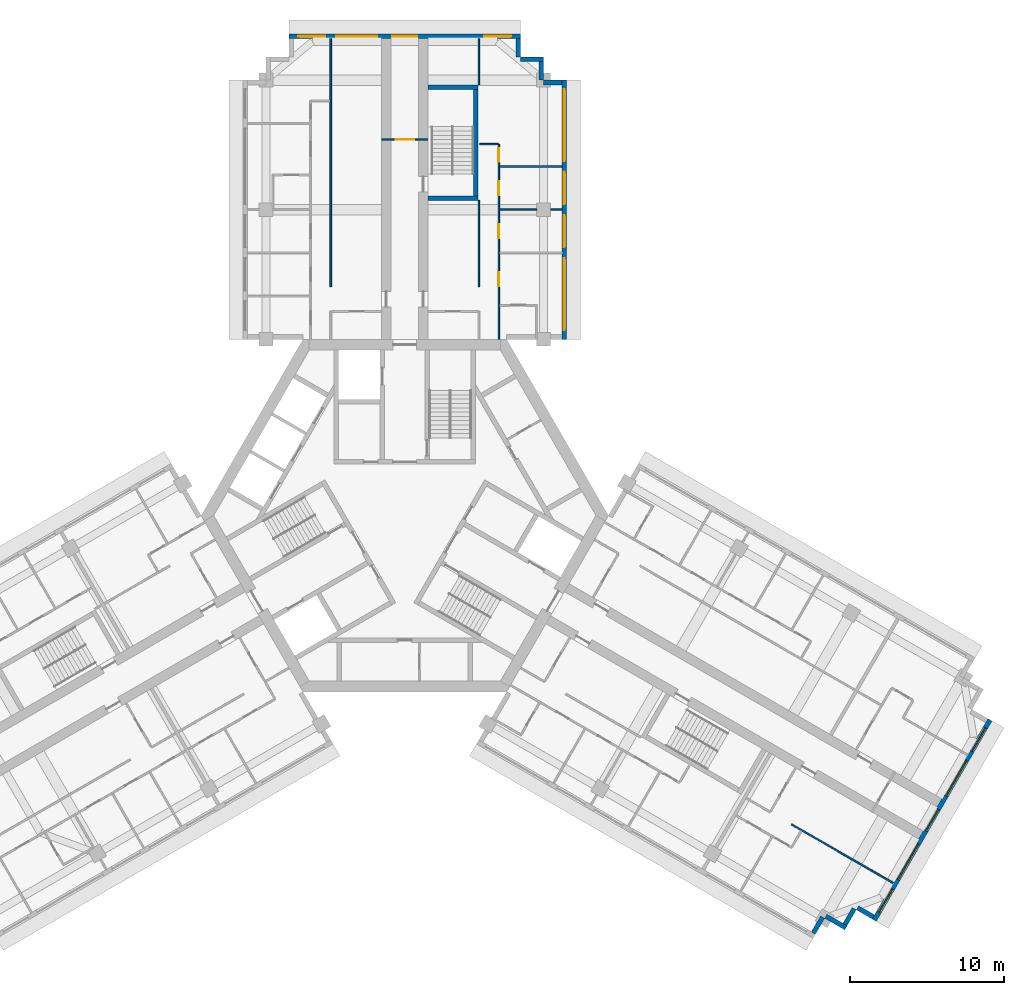
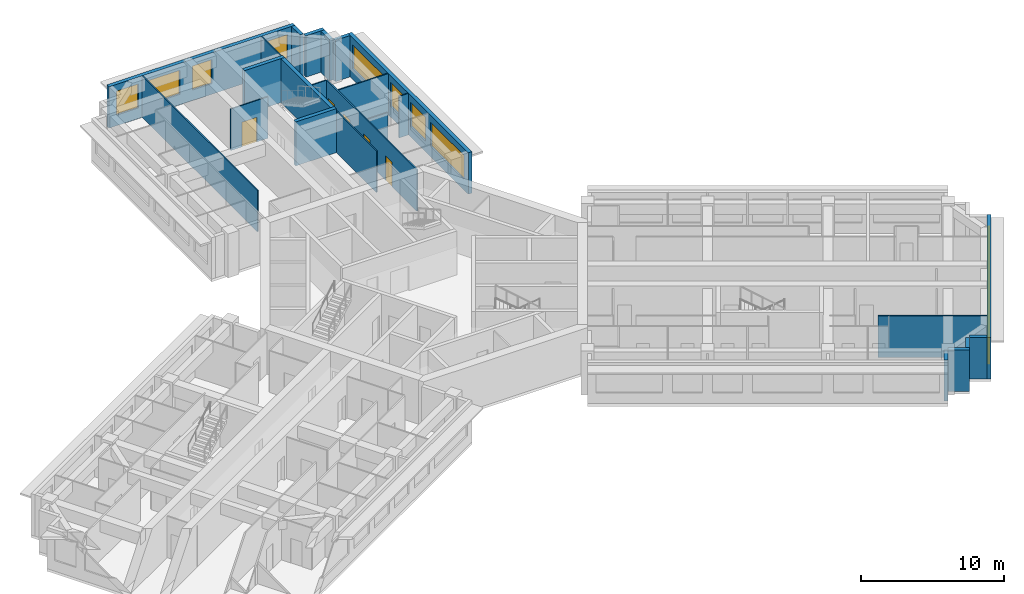
# One storey, part 9 of 12: 24 walls, 13 windows, 5 doors, 18 openings.
"""IFC4 building model written with IfcOpenShell, lengths in metres."""

import ifcopenshell
import ifcopenshell.guid

model = None  # the IFC model being written
_history = None  # IfcOwnerHistory: only IFC2X3 demands one
_inside = {}  # id of a spatial element -> (the spatial element, [elements in it])
_under = {}  # id of a project, library or spatial element -> (it, [spatial elements below it])
_declared = {}  # id of a project -> (the project, [libraries it declares])
_typed = {}  # id of a type object -> (the type object, [elements of that type])
_made_of = {}  # id of a material, layer set ... -> (it, [elements and type objects made of it])


def new_model(schema):
    """Start an empty IFC model of exactly this schema.

    Asked for "IFC4X3", IfcOpenShell would pick the latest addendum, in which some entities
    have other attributes; the version numbers below select the first issue.
    IFC2X3 requires an IfcOwnerHistory on every rooted entity: one is made here for all.
    """
    global model, _history
    if schema == "IFC4X3":
        model = ifcopenshell.file(schema_version=(4, 3, 0, 0))
    else:
        model = ifcopenshell.file(schema=schema)
    _inside.clear()
    _under.clear()
    _declared.clear()
    _typed.clear()
    _made_of.clear()
    _history = None
    if model.schema == "IFC2X3":
        org = make("IfcOrganization", Name="unknown")
        user = make(
            "IfcPersonAndOrganization",
            ThePerson=make("IfcPerson", FamilyName="unknown"),
            TheOrganization=org,
        )
        app = make(
            "IfcApplication",
            ApplicationDeveloper=org,
            Version="unknown",
            ApplicationFullName="unknown",
            ApplicationIdentifier="unknown",
        )
        _history = make(
            "IfcOwnerHistory",
            OwningUser=user,
            OwningApplication=app,
            ChangeAction="ADDED",
            CreationDate=0,
        )
    return model


def make(cls, **values):
    """One entity of the class cls with the attributes given. An attribute that is None is left unset."""
    return model.create_entity(
        cls, **{name: value for name, value in values.items() if value is not None}
    )


def rooted(cls, **values):
    """An entity with a GlobalId (a new one), such as an element, a storey or a relation."""
    return make(cls, GlobalId=ifcopenshell.guid.new(), OwnerHistory=_history, **values)


def si_unit(unit_type, name, prefix=None):
    """IfcSIUnit, for example si_unit("LENGTHUNIT", "METRE", prefix="MILLI")."""
    return make("IfcSIUnit", UnitType=unit_type, Prefix=prefix, Name=name)


def assignment(units):
    """IfcUnitAssignment: the units of a project."""
    return None if units is None else make("IfcUnitAssignment", Units=units)


def point(xyz):
    """IfcCartesianPoint."""
    return None if xyz is None else make("IfcCartesianPoint", Coordinates=xyz)


def direction(xyz):
    """IfcDirection."""
    return None if xyz is None else make("IfcDirection", DirectionRatios=xyz)


def frame(location, z_axis=None, x_axis=None):
    """IfcAxis2Placement3D, a coordinate frame: its origin and axes. An axis left out is left unset."""
    return make(
        "IfcAxis2Placement3D",
        Location=point(location),
        Axis=direction(z_axis),
        RefDirection=direction(x_axis),
    )


def frame_2d(location, x_axis=None):
    """IfcAxis2Placement2D, a coordinate frame in the plane: its origin and x axis."""
    return make(
        "IfcAxis2Placement2D", Location=point(location), RefDirection=direction(x_axis)
    )


def origin():
    """The frame at (0, 0, 0) with its axes left unset."""
    return frame((0.0, 0.0, 0.0))


def place(relative_to, where):
    """IfcLocalPlacement: puts the frame where relative to a parent placement (None: the world)."""
    return make(
        "IfcLocalPlacement", PlacementRelTo=relative_to, RelativePlacement=where
    )


def context(
    kind, dimensions, precision=None, world=None, true_north=None, identifier=None
):
    """IfcGeometricRepresentationContext, for example the 3D "Model" context."""
    return make(
        "IfcGeometricRepresentationContext",
        ContextIdentifier=identifier,
        ContextType=kind,
        CoordinateSpaceDimension=dimensions,
        Precision=precision,
        WorldCoordinateSystem=world,
        TrueNorth=true_north,
    )


def subcontext(parent, identifier, kind, view, scale=None):
    """IfcGeometricRepresentationSubContext, for example "Body" below "Model"."""
    return make(
        "IfcGeometricRepresentationSubContext",
        ContextIdentifier=identifier,
        ContextType=kind,
        ParentContext=parent,
        TargetScale=scale,
        TargetView=view,
    )


def project(units=None, contexts=None):
    """IfcProject with its units and contexts."""
    return rooted(
        "IfcProject",
        Name="project",
        RepresentationContexts=contexts,
        UnitsInContext=assignment(units),
    )


def spatial(cls, under=None, at=None, **own):
    """A site, building, storey or space (cls), placed at a placement, below another one or the project."""
    s = rooted(cls, ObjectPlacement=at, **own)
    if under is not None:
        _under.setdefault(under.id(), (under, []))[1].append(s)
    return s


def profile(cls, at=None, kind="AREA", **sizes):
    """A parametric profile (cls). Its sizes go by their IFC names, for example OverallWidth=200.0."""
    return make(cls, ProfileType=kind, Position=at, **sizes)


def rectangle(**sizes):
    """IfcRectangleProfileDef."""
    return profile("IfcRectangleProfileDef", **sizes)


def extrude(swept, where, along, depth):
    """IfcExtrudedAreaSolid: the profile swept, set in the frame where, extruded along a direction by depth."""
    return make(
        "IfcExtrudedAreaSolid",
        SweptArea=swept,
        Position=where,
        ExtrudedDirection=direction(along),
        Depth=depth,
    )


def shape(context_of_items, identifier, shape_type, items):
    """IfcShapeRepresentation: the items that make up one representation, for example the "Body"."""
    return make(
        "IfcShapeRepresentation",
        ContextOfItems=context_of_items,
        RepresentationIdentifier=identifier,
        RepresentationType=shape_type,
        Items=items,
    )


def material(Name=None, Category=None):
    """IfcMaterial."""
    return make("IfcMaterial", Name=Name, Category=Category)


def layer(
    of_material, thickness, ventilated=None, Name=None, Category=None, Priority=None
):
    """IfcMaterialLayer: one layer of a wall or slab, of a material (None: an air gap)."""
    return make(
        "IfcMaterialLayer",
        Material=of_material,
        LayerThickness=thickness,
        IsVentilated=ventilated,
        Name=Name,
        Category=Category,
        Priority=Priority,
    )


def layer_set(layers, Name=None):
    """IfcMaterialLayerSet."""
    return make("IfcMaterialLayerSet", MaterialLayers=layers, LayerSetName=Name)


def made_of(thing, what):
    """Note that an element or type object is made of a material, layer set ...; save() writes the relation."""
    if what is not None:
        _made_of.setdefault(what.id(), (what, []))[1].append(thing)
    return thing


def type_object(cls, material=None, **own):
    """A type object (cls), such as IfcWallType, which elements share."""
    return made_of(rooted(cls, **own), material)


def element(
    cls,
    number,
    at=None,
    inside=None,
    cuts=None,
    type_object=None,
    material=None,
    context=None,
    identifier="Body",
    shape_type=None,
    held_by="IfcProductDefinitionShape",
    body=None,
    shapes=None,
    **own,
):
    """One element of the class cls, such as IfcWall. Its Tag is "e" and its number.

    at: its placement. inside: the storey or other place that contains it. cuts: it is an
    opening in that element (IfcRelVoidsElement). A single representation is given by context,
    identifier, shape_type and body (its items); several are given by shapes. held_by: the class
    of the entity that holds the representations. save() writes the other relations.
    """
    e = rooted(cls, Tag="e%d" % number, ObjectPlacement=at, **own)
    if body is not None:
        shapes = [shape(context, identifier, shape_type, body)]
    if shapes is not None:
        e.Representation = make(held_by, Representations=shapes)
    if inside is not None:
        _inside.setdefault(inside.id(), (inside, []))[1].append(e)
    if cuts is not None:
        rooted(
            "IfcRelVoidsElement", RelatingBuildingElement=cuts, RelatedOpeningElement=e
        )
    if type_object is not None:
        _typed.setdefault(type_object.id(), (type_object, []))[1].append(e)
    return made_of(e, material)


def fill(opening, filler):
    """IfcRelFillsElement: the door or window that sits in an opening."""
    return rooted(
        "IfcRelFillsElement",
        RelatingOpeningElement=opening,
        RelatedBuildingElement=filler,
    )


def aggregate(whole, parts):
    """IfcRelAggregates: a whole, such as a stair, and the parts it consists of."""
    return rooted("IfcRelAggregates", RelatingObject=whole, RelatedObjects=parts)


def save(model, path):
    """Write the relations noted so far, then the file.

    IfcRelAggregates (storeys below a building ...), IfcRelContainedInSpatialStructure (elements
    in a storey), IfcRelDefinesByType, IfcRelAssociatesMaterial and IfcRelDeclares: one each for
    every whole, place, type object, material and project.
    """
    for whole, parts in _under.values():
        aggregate(whole, parts)
    for where, things in _inside.values():
        rooted(
            "IfcRelContainedInSpatialStructure",
            RelatedElements=things,
            RelatingStructure=where,
        )
    for kind, things in _typed.values():
        rooted("IfcRelDefinesByType", RelatedObjects=things, RelatingType=kind)
    for what, things in _made_of.values():
        rooted("IfcRelAssociatesMaterial", RelatedObjects=things, RelatingMaterial=what)
    for by, libraries in _declared.values():
        rooted("IfcRelDeclares", RelatingContext=by, RelatedDefinitions=libraries)
    model.write(path)


model = new_model("IFC4")

# Units and contexts
model_context = context("Model", 3, precision=1e-05, world=origin(), true_north=direction((0.0, 1.0)))
body_context = subcontext(model_context, "Body", "Model", "MODEL_VIEW")
ifc_project = project(units=[si_unit("LENGTHUNIT", "METRE"), si_unit("AREAUNIT", "SQUARE_METRE"), si_unit("VOLUMEUNIT", "CUBIC_METRE"), si_unit("PLANEANGLEUNIT", "RADIAN"), si_unit("MASSUNIT", "GRAM", prefix="KILO")], contexts=[model_context])

# Site, building, storey
site_placement = place(None, origin())
site = spatial("IfcSite", under=ifc_project, at=site_placement, CompositionType="ELEMENT")
building_placement = place(site_placement, origin())
building = spatial("IfcBuilding", under=site, at=building_placement, Name="Impinga Residences", CompositionType="ELEMENT")
storey_placement = place(building_placement, frame((0.0, 0.0, 214.75)))
storey = spatial("IfcBuildingStorey", under=building, at=storey_placement, Name="L53", CompositionType="ELEMENT", Elevation=214.75)

# Wall, opening, door
ifc_material_1 = material(Name="Concrete blockwork", Category="masonry")
ifc_layer_1 = layer(ifc_material_1, 0.10009765625)
ifc_layer_set_1 = layer_set([ifc_layer_1], Name="CP1 core room partition, blockwork 100")
wall_type_1 = type_object("IfcWallType", Name="CP1 core room partition, blockwork 100", PredefinedType="PARTITIONING", material=ifc_layer_set_1)
wall_1_placement = place(storey_placement, frame((-1.5, 24.381591796875, 0.0), z_axis=(0.0, 0.0, 1.0), x_axis=(1.0, 0.0, 0.0)))
wall_1 = element("IfcWall", 1, at=wall_1_placement, inside=storey, type_object=wall_type_1, Name="Core room partition, blockwork L53:N:LNG", PredefinedType="PARTITIONING", context=body_context, shape_type="SweptSolid", body=[
    extrude(rectangle(XDim=3.0, YDim=0.10009765625, at=frame_2d((1.5, 0.0))), origin(), (0.0, 0.0, 1.0), 3.530029296875),
])
opening_1_placement = place(wall_1_placement, frame((0.89990234375, 0.0, 0.0)))
opening_1 = element("IfcOpeningElement", 2, at=opening_1_placement, cuts=wall_1, Name="Opening D3", PredefinedType="OPENING", context=body_context, shape_type="SweptSolid", body=[
    extrude(rectangle(XDim=1.199951171875, YDim=2.10009765625, at=frame_2d((0.60009765625, 1.050048828125))), frame((0.0, 0.06005859375, 0.0), z_axis=(0.0, -1.0, 0.0), x_axis=(1.0, 0.0, 0.0)), (0.0, 0.0, 1.0), 0.1201171875),
])
ifc_material_2 = material(Name="Timber door set", Category="wood")
door_type_1 = type_object("IfcDoorType", Name="D3 room door, leaf and a half 1200x2100", OperationType="DOUBLE_SWING_LEFT", PredefinedType="DOOR", material=ifc_material_2)
door_1_placement = place(opening_1_placement, origin())
door_1 = element("IfcDoor", 3, at=door_1_placement, inside=storey, type_object=door_type_1, Name="Residents' lounge door N", OperationType="DOUBLE_SWING_LEFT", OverallHeight=2.10009765625, OverallWidth=1.199951171875, PredefinedType="DOOR", context=body_context, shape_type="SweptSolid", body=[
    extrude(rectangle(XDim=1.199951171875, YDim=2.10009765625, at=frame_2d((0.60009765625, 1.050048828125))), frame((0.0, 0.02490234375, 0.0), z_axis=(0.0, -1.0, 0.0), x_axis=(1.0, 0.0, 0.0)), (0.0, 0.0, 1.0), 0.050048828125),
])
fill(opening_1, door_1)

# Wall, openings, windows
ifc_material_3 = material(Name="Terracotta rainscreen on blockwork", Category="masonry")
ifc_layer_2 = layer(ifc_material_3, 0.300048828125)
ifc_layer_set_2 = layer_set([ifc_layer_2], Name="EW1 external wall, terracotta rainscreen on blockwork 300")
wall_type_2 = type_object("IfcWallType", Name="EW1 external wall, terracotta rainscreen on blockwork 300", PredefinedType="SOLIDWALL", material=ifc_layer_set_2)
wall_2_placement = place(storey_placement, frame((-7.5, 31.08154296875, 0.0), z_axis=(0.0, 0.0, 1.0), x_axis=(1.0, 0.0, 0.0)))
wall_2 = element("IfcWall", 4, at=wall_2_placement, inside=storey, type_object=wall_type_2, Name="External wall EW1 L53", PredefinedType="SOLIDWALL", context=body_context, shape_type="SweptSolid", body=[
    extrude(rectangle(XDim=15.0, YDim=0.300048828125, at=frame_2d((7.5, 0.0))), origin(), (0.0, 0.0, 1.0), 3.530029296875),
])
opening_2_placement = place(wall_2_placement, frame((0.60009765625, 0.0, 0.89990234375)))
opening_2 = element("IfcOpeningElement", 5, at=opening_2_placement, cuts=wall_2, Name="Opening W1", PredefinedType="OPENING", context=body_context, shape_type="SweptSolid", body=[
    extrude(rectangle(XDim=1.75, YDim=2.050048828125, at=frame_2d((0.875, 1.02490234375))), frame((0.0, 0.159912109375, 0.0), z_axis=(0.0, -1.0, 0.0), x_axis=(1.0, 0.0, 0.0)), (0.0, 0.0, 1.0), 0.320068359375),
])
opening_3_placement = place(wall_2_placement, frame((3.050048828125, 0.0, 0.89990234375)))
opening_3 = element("IfcOpeningElement", 6, at=opening_3_placement, cuts=wall_2, Name="Opening W18", PredefinedType="OPENING", context=body_context, shape_type="SweptSolid", body=[
    extrude(rectangle(XDim=2.64990234375, YDim=2.050048828125, at=frame_2d((1.324951171875, 1.02490234375))), frame((0.0, 0.159912109375, 0.0), z_axis=(0.0, -1.0, 0.0), x_axis=(1.0, 0.0, 0.0)), (0.0, 0.0, 1.0), 0.320068359375),
])
opening_4_placement = place(wall_2_placement, frame((6.699951171875, 0.0, 0.89990234375)))
opening_4 = element("IfcOpeningElement", 7, at=opening_4_placement, cuts=wall_2, Name="Opening W19", PredefinedType="OPENING", context=body_context, shape_type="SweptSolid", body=[
    extrude(rectangle(XDim=1.60009765625, YDim=2.050048828125, at=frame_2d((0.800048828125, 1.02490234375))), frame((0.0, 0.159912109375, 0.0), z_axis=(0.0, -1.0, 0.0), x_axis=(1.0, 0.0, 0.0)), (0.0, 0.0, 1.0), 0.320068359375),
])
opening_5_placement = place(wall_2_placement, frame((12.64990234375, 0.0, 0.89990234375)))
opening_5 = element("IfcOpeningElement", 8, at=opening_5_placement, cuts=wall_2, Name="Opening W1", PredefinedType="OPENING", context=body_context, shape_type="SweptSolid", body=[
    extrude(rectangle(XDim=1.75, YDim=2.050048828125, at=frame_2d((0.875, 1.02490234375))), frame((0.0, 0.159912109375, 0.0), z_axis=(0.0, -1.0, 0.0), x_axis=(1.0, 0.0, 0.0)), (0.0, 0.0, 1.0), 0.320068359375),
])
ifc_material_4 = material(Name="Aluminium window, clear double glazing", Category="aluminium")
window_type_1 = type_object("IfcWindowType", Name="W1 ribbon window 1750x2050", PartitioningType="SINGLE_PANEL", PredefinedType="WINDOW", material=ifc_material_4)
window_1_placement = place(opening_2_placement, origin())
window_1 = element("IfcWindow", 9, at=window_1_placement, inside=storey, type_object=window_type_1, Name="Window L53", OverallHeight=2.050048828125, OverallWidth=1.75, PartitioningType="SINGLE_PANEL", PredefinedType="WINDOW", context=body_context, shape_type="SweptSolid", body=[
    extrude(rectangle(XDim=1.75, YDim=2.050048828125, at=frame_2d((0.875, 1.02490234375))), frame((0.0, 0.030029296875, 0.0), z_axis=(0.0, -1.0, 0.0), x_axis=(1.0, 0.0, 0.0)), (0.0, 0.0, 1.0), 0.06005859375),
])
fill(opening_2, window_1)
window_2_placement = place(opening_5_placement, origin())
window_2 = element("IfcWindow", 10, at=window_2_placement, inside=storey, type_object=window_type_1, Name="Window L53", OverallHeight=2.050048828125, OverallWidth=1.75, PartitioningType="SINGLE_PANEL", PredefinedType="WINDOW", context=body_context, shape_type="SweptSolid", body=[
    extrude(rectangle(XDim=1.75, YDim=2.050048828125, at=frame_2d((0.875, 1.02490234375))), frame((0.0, 0.030029296875, 0.0), z_axis=(0.0, -1.0, 0.0), x_axis=(1.0, 0.0, 0.0)), (0.0, 0.0, 1.0), 0.06005859375),
])
fill(opening_5, window_2)
window_type_2 = type_object("IfcWindowType", Name="W18 ribbon window 2650x2050", PartitioningType="SINGLE_PANEL", PredefinedType="WINDOW", material=ifc_material_4)
window_3_placement = place(opening_3_placement, origin())
window_3 = element("IfcWindow", 11, at=window_3_placement, inside=storey, type_object=window_type_2, Name="Window L53", OverallHeight=2.050048828125, OverallWidth=2.64990234375, PartitioningType="SINGLE_PANEL", PredefinedType="WINDOW", context=body_context, shape_type="SweptSolid", body=[
    extrude(rectangle(XDim=2.64990234375, YDim=2.050048828125, at=frame_2d((1.324951171875, 1.02490234375))), frame((0.0, 0.030029296875, 0.0), z_axis=(0.0, -1.0, 0.0), x_axis=(1.0, 0.0, 0.0)), (0.0, 0.0, 1.0), 0.06005859375),
])
fill(opening_3, window_3)
window_type_3 = type_object("IfcWindowType", Name="W19 ribbon window 1600x2050", PartitioningType="SINGLE_PANEL", PredefinedType="WINDOW", material=ifc_material_4)
window_4_placement = place(opening_4_placement, origin())
window_4 = element("IfcWindow", 12, at=window_4_placement, inside=storey, type_object=window_type_3, Name="Window L53", OverallHeight=2.050048828125, OverallWidth=1.60009765625, PartitioningType="SINGLE_PANEL", PredefinedType="WINDOW", context=body_context, shape_type="SweptSolid", body=[
    extrude(rectangle(XDim=1.60009765625, YDim=2.050048828125, at=frame_2d((0.800048828125, 1.02490234375))), frame((0.0, 0.030029296875, 0.0), z_axis=(0.0, -1.0, 0.0), x_axis=(1.0, 0.0, 0.0)), (0.0, 0.0, 1.0), 0.06005859375),
])
fill(opening_4, window_4)

# Walls
wall_3_placement = place(storey_placement, frame((7.35009765625, 30.931640625, 0.0), z_axis=(0.0, 0.0, 1.0), x_axis=(0.0, -1.0, 0.0)))
element("IfcWall", 13, at=wall_3_placement, inside=storey, type_object=wall_type_2, Name="External wall EW1 L53", PredefinedType="SOLIDWALL", context=body_context, shape_type="SweptSolid", body=[
    extrude(rectangle(XDim=1.195068359375, YDim=0.300048828125, at=frame_2d((0.59765625, 0.0))), origin(), (0.0, 0.0, 1.0), 3.530029296875),
])
wall_4_placement = place(storey_placement, frame((7.5, 29.58154296875, 0.0), z_axis=(0.0, 0.0, 1.0), x_axis=(1.0, 0.0, 0.0)))
element("IfcWall", 14, at=wall_4_placement, inside=storey, type_object=wall_type_2, Name="External wall EW1 L53", PredefinedType="SOLIDWALL", context=body_context, shape_type="SweptSolid", body=[
    extrude(rectangle(XDim=1.5, YDim=0.300048828125, at=frame_2d((0.75, 0.0))), origin(), (0.0, 0.0, 1.0), 3.530029296875),
])
wall_5_placement = place(storey_placement, frame((8.85009765625, 29.431640625, 0.0), z_axis=(0.0, 0.0, 1.0), x_axis=(0.0, -1.0, 0.0)))
element("IfcWall", 15, at=wall_5_placement, inside=storey, type_object=wall_type_2, Name="External wall EW1 L53", PredefinedType="SOLIDWALL", context=body_context, shape_type="SweptSolid", body=[
    extrude(rectangle(XDim=1.2001953125, YDim=0.300048828125, at=frame_2d((0.60009765625, 0.0))), origin(), (0.0, 0.0, 1.0), 3.530029296875),
])
wall_6_placement = place(storey_placement, frame((9.0048828125, 28.08154296875, 0.0), z_axis=(0.0, 0.0, 1.0), x_axis=(1.0, 0.0, 0.0)))
element("IfcWall", 16, at=wall_6_placement, inside=storey, type_object=wall_type_2, Name="External wall EW1 L53", PredefinedType="SOLIDWALL", context=body_context, shape_type="SweptSolid", body=[
    extrude(rectangle(XDim=1.195068359375, YDim=0.300048828125, at=frame_2d((0.59765625, 0.0))), origin(), (0.0, 0.0, 1.0), 3.530029296875),
])

# Wall, openings, windows
wall_7_placement = place(storey_placement, frame((10.35009765625, 28.2314453125, 0.0), z_axis=(0.0, 0.0, 1.0), x_axis=(0.0, -1.0, 0.0)))
wall_7 = element("IfcWall", 17, at=wall_7_placement, inside=storey, type_object=wall_type_2, Name="External wall EW1 L53", PredefinedType="SOLIDWALL", context=body_context, shape_type="SweptSolid", body=[
    extrude(rectangle(XDim=16.7998046875, YDim=0.300048828125, at=frame_2d((8.39990234375, 0.0))), origin(), (0.0, 0.0, 1.0), 3.530029296875),
])
opening_6_placement = place(wall_7_placement, frame((0.60009765625, 0.0, 0.89990234375)))
opening_6 = element("IfcOpeningElement", 18, at=opening_6_placement, cuts=wall_7, Name="Opening W10", PredefinedType="OPENING", context=body_context, shape_type="SweptSolid", body=[
    extrude(rectangle(XDim=4.64990234375, YDim=2.050048828125, at=frame_2d((2.324951171875, 1.02490234375))), frame((0.0, 0.159912109375, 0.0), z_axis=(0.0, -1.0, 0.0), x_axis=(1.0, 0.0, 0.0)), (0.0, 0.0, 1.0), 0.320068359375),
])
opening_7_placement = place(wall_7_placement, frame((5.949951171875, 0.0, 0.89990234375)))
opening_7 = element("IfcOpeningElement", 19, at=opening_7_placement, cuts=wall_7, Name="Opening W9", PredefinedType="OPENING", context=body_context, shape_type="SweptSolid", body=[
    extrude(rectangle(XDim=2.10009765625, YDim=2.050048828125, at=frame_2d((1.050048828125, 1.02490234375))), frame((0.0, 0.159912109375, 0.0), z_axis=(0.0, -1.0, 0.0), x_axis=(1.0, 0.0, 0.0)), (0.0, 0.0, 1.0), 0.320068359375),
])
opening_8_placement = place(wall_7_placement, frame((8.75, 0.0, 0.89990234375)))
opening_8 = element("IfcOpeningElement", 20, at=opening_8_placement, cuts=wall_7, Name="Opening W9", PredefinedType="OPENING", context=body_context, shape_type="SweptSolid", body=[
    extrude(rectangle(XDim=2.10009765625, YDim=2.050048828125, at=frame_2d((1.050048828125, 1.02490234375))), frame((0.0, 0.159912109375, 0.0), z_axis=(0.0, -1.0, 0.0), x_axis=(1.0, 0.0, 0.0)), (0.0, 0.0, 1.0), 0.320068359375),
])
opening_9_placement = place(wall_7_placement, frame((11.550048828125, 0.0, 0.89990234375)))
opening_9 = element("IfcOpeningElement", 21, at=opening_9_placement, cuts=wall_7, Name="Opening W10", PredefinedType="OPENING", context=body_context, shape_type="SweptSolid", body=[
    extrude(rectangle(XDim=4.64990234375, YDim=2.050048828125, at=frame_2d((2.324951171875, 1.02490234375))), frame((0.0, 0.159912109375, 0.0), z_axis=(0.0, -1.0, 0.0), x_axis=(1.0, 0.0, 0.0)), (0.0, 0.0, 1.0), 0.320068359375),
])
window_type_4 = type_object("IfcWindowType", Name="W10 ribbon window 4650x2050", PartitioningType="SINGLE_PANEL", PredefinedType="WINDOW", material=ifc_material_4)
window_5_placement = place(opening_6_placement, origin())
window_5 = element("IfcWindow", 22, at=window_5_placement, inside=storey, type_object=window_type_4, Name="Window L53", OverallHeight=2.050048828125, OverallWidth=4.64990234375, PartitioningType="SINGLE_PANEL", PredefinedType="WINDOW", context=body_context, shape_type="SweptSolid", body=[
    extrude(rectangle(XDim=4.64990234375, YDim=2.050048828125, at=frame_2d((2.324951171875, 1.02490234375))), frame((0.0, 0.030029296875, 0.0), z_axis=(0.0, -1.0, 0.0), x_axis=(1.0, 0.0, 0.0)), (0.0, 0.0, 1.0), 0.06005859375),
])
fill(opening_6, window_5)
window_6_placement = place(opening_9_placement, origin())
window_6 = element("IfcWindow", 23, at=window_6_placement, inside=storey, type_object=window_type_4, Name="Window L53", OverallHeight=2.050048828125, OverallWidth=4.64990234375, PartitioningType="SINGLE_PANEL", PredefinedType="WINDOW", context=body_context, shape_type="SweptSolid", body=[
    extrude(rectangle(XDim=4.64990234375, YDim=2.050048828125, at=frame_2d((2.324951171875, 1.02490234375))), frame((0.0, 0.030029296875, 0.0), z_axis=(0.0, -1.0, 0.0), x_axis=(1.0, 0.0, 0.0)), (0.0, 0.0, 1.0), 0.06005859375),
])
fill(opening_9, window_6)
window_type_5 = type_object("IfcWindowType", Name="W9 ribbon window 2100x2050", PartitioningType="SINGLE_PANEL", PredefinedType="WINDOW", material=ifc_material_4)
window_7_placement = place(opening_7_placement, origin())
window_7 = element("IfcWindow", 24, at=window_7_placement, inside=storey, type_object=window_type_5, Name="Window L53", OverallHeight=2.050048828125, OverallWidth=2.10009765625, PartitioningType="SINGLE_PANEL", PredefinedType="WINDOW", context=body_context, shape_type="SweptSolid", body=[
    extrude(rectangle(XDim=2.10009765625, YDim=2.050048828125, at=frame_2d((1.050048828125, 1.02490234375))), frame((0.0, 0.030029296875, 0.0), z_axis=(0.0, -1.0, 0.0), x_axis=(1.0, 0.0, 0.0)), (0.0, 0.0, 1.0), 0.06005859375),
])
fill(opening_7, window_7)
window_8_placement = place(opening_8_placement, origin())
window_8 = element("IfcWindow", 25, at=window_8_placement, inside=storey, type_object=window_type_5, Name="Window L53", OverallHeight=2.050048828125, OverallWidth=2.10009765625, PartitioningType="SINGLE_PANEL", PredefinedType="WINDOW", context=body_context, shape_type="SweptSolid", body=[
    extrude(rectangle(XDim=2.10009765625, YDim=2.050048828125, at=frame_2d((1.050048828125, 1.02490234375))), frame((0.0, 0.030029296875, 0.0), z_axis=(0.0, -1.0, 0.0), x_axis=(1.0, 0.0, 0.0)), (0.0, 0.0, 1.0), 0.06005859375),
])
fill(opening_8, window_8)

wall_8_placement = place(storey_placement, frame((37.94189453125, -13.24560546875, 0.0), z_axis=(0.0, 0.0, 1.0), x_axis=(-0.500004234368, -0.866022959057, 0.0)))
wall_8 = element("IfcWall", 26, at=wall_8_placement, inside=storey, type_object=wall_type_2, Name="External wall EW1 L53", PredefinedType="SOLIDWALL", context=body_context, shape_type="SweptSolid", body=[
    extrude(rectangle(XDim=14.999755859375, YDim=0.300048828125, at=frame_2d((7.5, 0.0))), origin(), (0.0, 0.0, 1.0), 3.530029296875),
])
opening_10_placement = place(wall_8_placement, frame((0.60009765625, 0.0, 0.89990234375)))
opening_10 = element("IfcOpeningElement", 27, at=opening_10_placement, cuts=wall_8, Name="Opening W1", PredefinedType="OPENING", context=body_context, shape_type="SweptSolid", body=[
    extrude(rectangle(XDim=1.75, YDim=2.050048828125, at=frame_2d((0.875, 1.02490234375))), frame((0.0, 0.159912109375, 0.0), z_axis=(0.0, -1.0, 0.0), x_axis=(1.0, 0.0, 0.0)), (0.0, 0.0, 1.0), 0.320068359375),
])
opening_11_placement = place(wall_8_placement, frame((3.050048828125, 0.0, 0.89990234375)))
opening_11 = element("IfcOpeningElement", 28, at=opening_11_placement, cuts=wall_8, Name="Opening W18", PredefinedType="OPENING", context=body_context, shape_type="SweptSolid", body=[
    extrude(rectangle(XDim=2.64990234375, YDim=2.050048828125, at=frame_2d((1.324951171875, 1.02490234375))), frame((0.0, 0.159912109375, 0.0), z_axis=(0.0, -1.0, 0.0), x_axis=(1.0, 0.0, 0.0)), (0.0, 0.0, 1.0), 0.320068359375),
])
opening_12_placement = place(wall_8_placement, frame((6.699951171875, 0.0, 0.89990234375)))
opening_12 = element("IfcOpeningElement", 29, at=opening_12_placement, cuts=wall_8, Name="Opening W19", PredefinedType="OPENING", context=body_context, shape_type="SweptSolid", body=[
    extrude(rectangle(XDim=1.60009765625, YDim=2.050048828125, at=frame_2d((0.800048828125, 1.02490234375))), frame((0.0, 0.159912109375, 0.0), z_axis=(0.0, -1.0, 0.0), x_axis=(1.0, 0.0, 0.0)), (0.0, 0.0, 1.0), 0.320068359375),
])
opening_13_placement = place(wall_8_placement, frame((9.300048828125, 0.0, 0.89990234375)))
opening_13 = element("IfcOpeningElement", 30, at=opening_13_placement, cuts=wall_8, Name="Opening W18", PredefinedType="OPENING", context=body_context, shape_type="SweptSolid", body=[
    extrude(rectangle(XDim=2.64990234375, YDim=2.050048828125, at=frame_2d((1.324951171875, 1.02490234375))), frame((0.0, 0.159912109375, 0.0), z_axis=(0.0, -1.0, 0.0), x_axis=(1.0, 0.0, 0.0)), (0.0, 0.0, 1.0), 0.320068359375),
])
opening_14_placement = place(wall_8_placement, frame((12.64990234375, 0.0, 0.89990234375)))
opening_14 = element("IfcOpeningElement", 31, at=opening_14_placement, cuts=wall_8, Name="Opening W1", PredefinedType="OPENING", context=body_context, shape_type="SweptSolid", body=[
    extrude(rectangle(XDim=1.75, YDim=2.050048828125, at=frame_2d((0.875, 1.02490234375))), frame((0.0, 0.159912109375, 0.0), z_axis=(0.0, -1.0, 0.0), x_axis=(1.0, 0.0, 0.0)), (0.0, 0.0, 1.0), 0.320068359375),
])
window_9_placement = place(opening_10_placement, origin())
window_9 = element("IfcWindow", 32, at=window_9_placement, inside=storey, type_object=window_type_1, Name="Window L53", OverallHeight=2.050048828125, OverallWidth=1.75, PartitioningType="SINGLE_PANEL", PredefinedType="WINDOW", context=body_context, shape_type="SweptSolid", body=[
    extrude(rectangle(XDim=1.75, YDim=2.050048828125, at=frame_2d((0.875, 1.02490234375))), frame((0.0, 0.030029296875, 0.0), z_axis=(0.0, -1.0, 0.0), x_axis=(1.0, 0.0, 0.0)), (0.0, 0.0, 1.0), 0.06005859375),
])
fill(opening_10, window_9)
window_10_placement = place(opening_14_placement, origin())
window_10 = element("IfcWindow", 33, at=window_10_placement, inside=storey, type_object=window_type_1, Name="Window L53", OverallHeight=2.050048828125, OverallWidth=1.75, PartitioningType="SINGLE_PANEL", PredefinedType="WINDOW", context=body_context, shape_type="SweptSolid", body=[
    extrude(rectangle(XDim=1.75, YDim=2.050048828125, at=frame_2d((0.875, 1.02490234375))), frame((0.0, 0.030029296875, 0.0), z_axis=(0.0, -1.0, 0.0), x_axis=(1.0, 0.0, 0.0)), (0.0, 0.0, 1.0), 0.06005859375),
])
fill(opening_14, window_10)
window_11_placement = place(opening_11_placement, origin())
window_11 = element("IfcWindow", 34, at=window_11_placement, inside=storey, type_object=window_type_2, Name="Window L53", OverallHeight=2.050048828125, OverallWidth=2.64990234375, PartitioningType="SINGLE_PANEL", PredefinedType="WINDOW", context=body_context, shape_type="SweptSolid", body=[
    extrude(rectangle(XDim=2.64990234375, YDim=2.050048828125, at=frame_2d((1.324951171875, 1.02490234375))), frame((0.0, 0.030029296875, 0.0), z_axis=(0.0, -1.0, 0.0), x_axis=(1.0, 0.0, 0.0)), (0.0, 0.0, 1.0), 0.06005859375),
])
fill(opening_11, window_11)
window_12_placement = place(opening_13_placement, origin())
window_12 = element("IfcWindow", 35, at=window_12_placement, inside=storey, type_object=window_type_2, Name="Window L53", OverallHeight=2.050048828125, OverallWidth=2.64990234375, PartitioningType="SINGLE_PANEL", PredefinedType="WINDOW", context=body_context, shape_type="SweptSolid", body=[
    extrude(rectangle(XDim=2.64990234375, YDim=2.050048828125, at=frame_2d((1.324951171875, 1.02490234375))), frame((0.0, 0.030029296875, 0.0), z_axis=(0.0, -1.0, 0.0), x_axis=(1.0, 0.0, 0.0)), (0.0, 0.0, 1.0), 0.06005859375),
])
fill(opening_13, window_12)
window_13_placement = place(opening_12_placement, origin())
window_13 = element("IfcWindow", 36, at=window_13_placement, inside=storey, type_object=window_type_3, Name="Window L53", OverallHeight=2.050048828125, OverallWidth=1.60009765625, PartitioningType="SINGLE_PANEL", PredefinedType="WINDOW", context=body_context, shape_type="SweptSolid", body=[
    extrude(rectangle(XDim=1.60009765625, YDim=2.050048828125, at=frame_2d((0.800048828125, 1.02490234375))), frame((0.0, 0.030029296875, 0.0), z_axis=(0.0, -1.0, 0.0), x_axis=(1.0, 0.0, 0.0)), (0.0, 0.0, 1.0), 0.06005859375),
])
fill(opening_12, window_13)

# Walls
wall_9_placement = place(storey_placement, frame((30.38720703125, -26.031005859375, 0.0), z_axis=(0.0, 0.0, 1.0), x_axis=(-0.866059708757, 0.499940577336, 0.0)))
element("IfcWall", 37, at=wall_9_placement, inside=storey, type_object=wall_type_2, Name="External wall EW1 L53", PredefinedType="SOLIDWALL", context=body_context, shape_type="SweptSolid", body=[
    extrude(rectangle(XDim=1.195068359375, YDim=0.300048828125, at=frame_2d((0.59765625, 0.0))), origin(), (0.0, 0.0, 1.0), 3.530029296875),
])
wall_10_placement = place(storey_placement, frame((29.14306640625, -25.48583984375, 0.0), z_axis=(0.0, 0.0, 1.0), x_axis=(-0.500033551112, -0.866006032174, 0.0)))
element("IfcWall", 38, at=wall_10_placement, inside=storey, type_object=wall_type_2, Name="External wall EW1 L53", PredefinedType="SOLIDWALL", context=body_context, shape_type="SweptSolid", body=[
    extrude(rectangle(XDim=1.2001953125, YDim=0.300048828125, at=frame_2d((0.60009765625, 0.0))), origin(), (0.0, 0.0, 1.0), 3.530029296875),
])
wall_11_placement = place(storey_placement, frame((28.597900390625, -26.72998046875, 0.0), z_axis=(0.0, 0.0, 1.0), x_axis=(-0.866031096941, 0.499990139034, 0.0)))
element("IfcWall", 39, at=wall_11_placement, inside=storey, type_object=wall_type_2, Name="External wall EW1 L53", PredefinedType="SOLIDWALL", context=body_context, shape_type="SweptSolid", body=[
    extrude(rectangle(XDim=1.5, YDim=0.300048828125, at=frame_2d((0.75, 0.0))), origin(), (0.0, 0.0, 1.0), 3.530029296875),
])
wall_12_placement = place(storey_placement, frame((27.091552734375, -26.039306640625, 0.0), z_axis=(0.0, 0.0, 1.0), x_axis=(-0.500093796661, -0.865971243484, 0.0)))
element("IfcWall", 40, at=wall_12_placement, inside=storey, type_object=wall_type_2, Name="External wall EW1 L53", PredefinedType="SOLIDWALL", context=body_context, shape_type="SweptSolid", body=[
    extrude(rectangle(XDim=1.195068359375, YDim=0.300048828125, at=frame_2d((0.59765625, 0.0))), origin(), (0.0, 0.0, 1.0), 3.530029296875),
])
ifc_material_5 = material(Name="Gypsum board on steel studs", Category="steel")
ifc_layer_3 = layer(ifc_material_5, 0.10009765625)
ifc_layer_set_3 = layer_set([ifc_layer_3], Name="Gypsum board on steel studs")
wall_type_3 = type_object("IfcWallType", Name="IP1 partition 100", PredefinedType="PARTITIONING", material=ifc_layer_set_3)
wall_13_placement = place(storey_placement, frame((-4.800048828125, 14.83154296875, 0.0), z_axis=(0.0, 0.0, 1.0), x_axis=(0.0, 1.0, 0.0)))
element("IfcWall", 41, at=wall_13_placement, inside=storey, type_object=wall_type_3, Name="Partition L53-NA1:DIV1", PredefinedType="PARTITIONING", context=body_context, shape_type="SweptSolid", body=[
    extrude(rectangle(XDim=16.10009765625, YDim=0.10009765625, at=frame_2d((8.050048828125, 0.0))), origin(), (0.0, 0.0, 1.0), 3.530029296875),
])
wall_14_placement = place(storey_placement, frame((4.800048828125, 14.83154296875, 0.0), z_axis=(0.0, 0.0, 1.0), x_axis=(0.0, 1.0, 0.0)))
element("IfcWall", 42, at=wall_14_placement, inside=storey, type_object=wall_type_3, Name="Partition L53-NF1:DIV1", PredefinedType="PARTITIONING", context=body_context, shape_type="SweptSolid", body=[
    extrude(rectangle(XDim=5.60009765625, YDim=0.10009765625, at=frame_2d((2.800048828125, 0.0))), origin(), (0.0, 0.0, 1.0), 3.530029296875),
])
wall_15_placement = place(storey_placement, frame((4.800048828125, 27.931640625, 0.0), z_axis=(0.0, 0.0, 1.0), x_axis=(0.0, 1.0, 0.0)))
element("IfcWall", 43, at=wall_15_placement, inside=storey, type_object=wall_type_3, Name="Partition L53-NF1:DIV2", PredefinedType="PARTITIONING", context=body_context, shape_type="SweptSolid", body=[
    extrude(rectangle(XDim=3.0, YDim=0.10009765625, at=frame_2d((1.5, 0.0))), origin(), (0.0, 0.0, 1.0), 3.530029296875),
])

# Wall, openings, doors
wall_16_placement = place(storey_placement, frame((6.10009765625, 11.431640625, 0.0), z_axis=(0.0, 0.0, 1.0), x_axis=(0.0, 1.0, 0.0)))
wall_16 = element("IfcWall", 44, at=wall_16_placement, inside=storey, type_object=wall_type_3, Name="Partition L53-NF1:STRIP", PredefinedType="PARTITIONING", context=body_context, shape_type="SweptSolid", body=[
    extrude(rectangle(XDim=12.64990234375, YDim=0.10009765625, at=frame_2d((6.324951171875, 0.0))), origin(), (0.0, 0.0, 1.0), 3.530029296875),
])
opening_15_placement = place(wall_16_placement, frame((3.449951171875, 0.0, 0.0)))
opening_15 = element("IfcOpeningElement", 45, at=opening_15_placement, cuts=wall_16, Name="Opening D2", PredefinedType="OPENING", context=body_context, shape_type="SweptSolid", body=[
    extrude(rectangle(XDim=0.89990234375, YDim=2.10009765625, at=frame_2d((0.449951171875, 1.050048828125))), frame((0.0, 0.06005859375, 0.0), z_axis=(0.0, -1.0, 0.0), x_axis=(1.0, 0.0, 0.0)), (0.0, 0.0, 1.0), 0.1201171875),
])
opening_16_placement = place(wall_16_placement, frame((6.550048828125, 0.0, 0.0)))
opening_16 = element("IfcOpeningElement", 46, at=opening_16_placement, cuts=wall_16, Name="Opening D2", PredefinedType="OPENING", context=body_context, shape_type="SweptSolid", body=[
    extrude(rectangle(XDim=0.89990234375, YDim=2.10009765625, at=frame_2d((0.449951171875, 1.050048828125))), frame((0.0, 0.06005859375, 0.0), z_axis=(0.0, -1.0, 0.0), x_axis=(1.0, 0.0, 0.0)), (0.0, 0.0, 1.0), 0.1201171875),
])
opening_17_placement = place(wall_16_placement, frame((9.35009765625, 0.0, 0.0)))
opening_17 = element("IfcOpeningElement", 47, at=opening_17_placement, cuts=wall_16, Name="Opening D2", PredefinedType="OPENING", context=body_context, shape_type="SweptSolid", body=[
    extrude(rectangle(XDim=0.89990234375, YDim=2.10009765625, at=frame_2d((0.449951171875, 1.050048828125))), frame((0.0, 0.06005859375, 0.0), z_axis=(0.0, -1.0, 0.0), x_axis=(1.0, 0.0, 0.0)), (0.0, 0.0, 1.0), 0.1201171875),
])
opening_18_placement = place(wall_16_placement, frame((11.5, 0.0, 0.0)))
opening_18 = element("IfcOpeningElement", 48, at=opening_18_placement, cuts=wall_16, Name="Opening D2", PredefinedType="OPENING", context=body_context, shape_type="SweptSolid", body=[
    extrude(rectangle(XDim=0.89990234375, YDim=2.10009765625, at=frame_2d((0.449951171875, 1.050048828125))), frame((0.0, 0.06005859375, 0.0), z_axis=(0.0, -1.0, 0.0), x_axis=(1.0, 0.0, 0.0)), (0.0, 0.0, 1.0), 0.1201171875),
])
door_type_2 = type_object("IfcDoorType", Name="D2 internal door 900x2100", OperationType="SINGLE_SWING_LEFT", PredefinedType="DOOR", material=ifc_material_2)
door_2_placement = place(opening_15_placement, origin())
door_2 = element("IfcDoor", 49, at=door_2_placement, inside=storey, type_object=door_type_2, Name="Apartment L53-NF1 room door", OperationType="SINGLE_SWING_LEFT", OverallHeight=2.10009765625, OverallWidth=0.89990234375, PredefinedType="DOOR", context=body_context, shape_type="SweptSolid", body=[
    extrude(rectangle(XDim=0.89990234375, YDim=2.10009765625, at=frame_2d((0.449951171875, 1.050048828125))), frame((0.0, 0.02490234375, 0.0), z_axis=(0.0, -1.0, 0.0), x_axis=(1.0, 0.0, 0.0)), (0.0, 0.0, 1.0), 0.050048828125),
])
fill(opening_15, door_2)
door_3_placement = place(opening_16_placement, origin())
door_3 = element("IfcDoor", 50, at=door_3_placement, inside=storey, type_object=door_type_2, Name="Apartment L53-NF1 room door", OperationType="SINGLE_SWING_RIGHT", OverallHeight=2.10009765625, OverallWidth=0.89990234375, PredefinedType="DOOR", context=body_context, shape_type="SweptSolid", body=[
    extrude(rectangle(XDim=0.89990234375, YDim=2.10009765625, at=frame_2d((0.449951171875, 1.050048828125))), frame((0.0, 0.02490234375, 0.0), z_axis=(0.0, -1.0, 0.0), x_axis=(1.0, 0.0, 0.0)), (0.0, 0.0, 1.0), 0.050048828125),
])
fill(opening_16, door_3)
door_4_placement = place(opening_17_placement, origin())
door_4 = element("IfcDoor", 51, at=door_4_placement, inside=storey, type_object=door_type_2, Name="Apartment L53-NF1 room door", OperationType="SINGLE_SWING_RIGHT", OverallHeight=2.10009765625, OverallWidth=0.89990234375, PredefinedType="DOOR", context=body_context, shape_type="SweptSolid", body=[
    extrude(rectangle(XDim=0.89990234375, YDim=2.10009765625, at=frame_2d((0.449951171875, 1.050048828125))), frame((0.0, 0.02490234375, 0.0), z_axis=(0.0, -1.0, 0.0), x_axis=(1.0, 0.0, 0.0)), (0.0, 0.0, 1.0), 0.050048828125),
])
fill(opening_17, door_4)
door_5_placement = place(opening_18_placement, origin())
door_5 = element("IfcDoor", 52, at=door_5_placement, inside=storey, type_object=door_type_2, Name="Apartment L53-NF1 room door", OperationType="SINGLE_SWING_RIGHT", OverallHeight=2.10009765625, OverallWidth=0.89990234375, PredefinedType="DOOR", context=body_context, shape_type="SweptSolid", body=[
    extrude(rectangle(XDim=0.89990234375, YDim=2.10009765625, at=frame_2d((0.449951171875, 1.050048828125))), frame((0.0, 0.02490234375, 0.0), z_axis=(0.0, -1.0, 0.0), x_axis=(1.0, 0.0, 0.0)), (0.0, 0.0, 1.0), 0.050048828125),
])
fill(opening_18, door_5)

# Walls
wall_17_placement = place(storey_placement, frame((4.85009765625, 24.08154296875, 0.0), z_axis=(0.0, 0.0, 1.0), x_axis=(1.0, 0.0, 0.0)))
element("IfcWall", 53, at=wall_17_placement, inside=storey, type_object=wall_type_3, Name="Partition L53-NF1:SE1", PredefinedType="PARTITIONING", context=body_context, shape_type="SweptSolid", body=[
    extrude(rectangle(XDim=1.199951171875, YDim=0.10009765625, at=frame_2d((0.60009765625, 0.0))), origin(), (0.0, 0.0, 1.0), 3.530029296875),
])
wall_18_placement = place(storey_placement, frame((6.14990234375, 19.83154296875, 0.0), z_axis=(0.0, 0.0, 1.0), x_axis=(1.0, 0.0, 0.0)))
element("IfcWall", 54, at=wall_18_placement, inside=storey, type_object=wall_type_3, Name="Partition L53-NF1:OB2", PredefinedType="PARTITIONING", context=body_context, shape_type="SweptSolid", body=[
    extrude(rectangle(XDim=2.400146484375, YDim=0.10009765625, at=frame_2d((1.2001953125, 0.0))), origin(), (0.0, 0.0, 1.0), 2.47998046875),
])
wall_19_placement = place(storey_placement, frame((9.449951171875, 19.83154296875, 0.0), z_axis=(0.0, 0.0, 1.0), x_axis=(1.0, 0.0, 0.0)))
element("IfcWall", 55, at=wall_19_placement, inside=storey, type_object=wall_type_3, Name="Partition L53-NF1:OB2b", PredefinedType="PARTITIONING", context=body_context, shape_type="SweptSolid", body=[
    extrude(rectangle(XDim=0.75, YDim=0.10009765625, at=frame_2d((0.375, 0.0))), origin(), (0.0, 0.0, 1.0), 3.530029296875),
])
wall_20_placement = place(storey_placement, frame((6.14990234375, 22.631591796875, 0.0), z_axis=(0.0, 0.0, 1.0), x_axis=(1.0, 0.0, 0.0)))
element("IfcWall", 56, at=wall_20_placement, inside=storey, type_object=wall_type_3, Name="Partition L53-NF1:OB3", PredefinedType="PARTITIONING", context=body_context, shape_type="SweptSolid", body=[
    extrude(rectangle(XDim=4.050048828125, YDim=0.10009765625, at=frame_2d((2.02490234375, 0.0))), origin(), (0.0, 0.0, 1.0), 3.530029296875),
])
wall_21_placement = place(storey_placement, frame((25.080322265625, -20.022705078125, 0.0), z_axis=(0.0, 0.0, 1.0), x_axis=(0.866022425744, -0.500005158081, 0.0)))
element("IfcWall", 57, at=wall_21_placement, inside=storey, type_object=wall_type_3, Name="Partition L53-EF2:DIV1", PredefinedType="PARTITIONING", context=body_context, shape_type="SweptSolid", body=[
    extrude(rectangle(XDim=7.60009765625, YDim=0.10009765625, at=frame_2d((3.800048828125, 0.0))), origin(), (0.0, 0.0, 1.0), 3.530029296875),
])
ifc_material_6 = material(Name="Concrete C60/75", Category="concrete")
ifc_layer_4 = layer(ifc_material_6, 0.300048828125)
ifc_layer_set_4 = layer_set([ifc_layer_4], Name="Concrete C60/75")
wall_type_4 = type_object("IfcWallType", Name="SE1 wing stair enclosure wall 300", PredefinedType="SOLIDWALL", material=ifc_layer_set_4)
for number, where, z_axis, x_axis, name in (
    (58, (1.5, 20.58154296875, 0.0), (0.0, 0.0, 1.0), (1.0, 0.0, 0.0), "Stair enclosure wall SE1 N END0 L53"),
    (59, (1.5, 27.781494140625, 0.0), (0.0, 0.0, 1.0), (1.0, 0.0, 0.0), "Stair enclosure wall SE1 N END1 L53"),
):
    element("IfcWall", number, at=place(storey_placement, frame(where, z_axis=z_axis, x_axis=x_axis)), inside=storey, type_object=wall_type_4, Name=name, PredefinedType="SOLIDWALL", context=body_context, shape_type="SweptSolid", body=[
        extrude(rectangle(XDim=3.25, YDim=0.300048828125, at=frame_2d((1.625, 0.0))), origin(), (0.0, 0.0, 1.0), 3.75),
    ])
wall_22_placement = place(storey_placement, frame((4.60009765625, 20.7314453125, 0.0), z_axis=(0.0, 0.0, 1.0), x_axis=(0.0, 1.0, 0.0)))
element("IfcWall", 60, at=wall_22_placement, inside=storey, type_object=wall_type_4, Name="Stair enclosure wall SE1 N OUT L53", PredefinedType="SOLIDWALL", context=body_context, shape_type="SweptSolid", body=[
    extrude(rectangle(XDim=6.900146484375, YDim=0.300048828125, at=frame_2d((3.4501953125, 0.0))), origin(), (0.0, 0.0, 1.0), 3.75),
])

save(model, "model.ifc")
